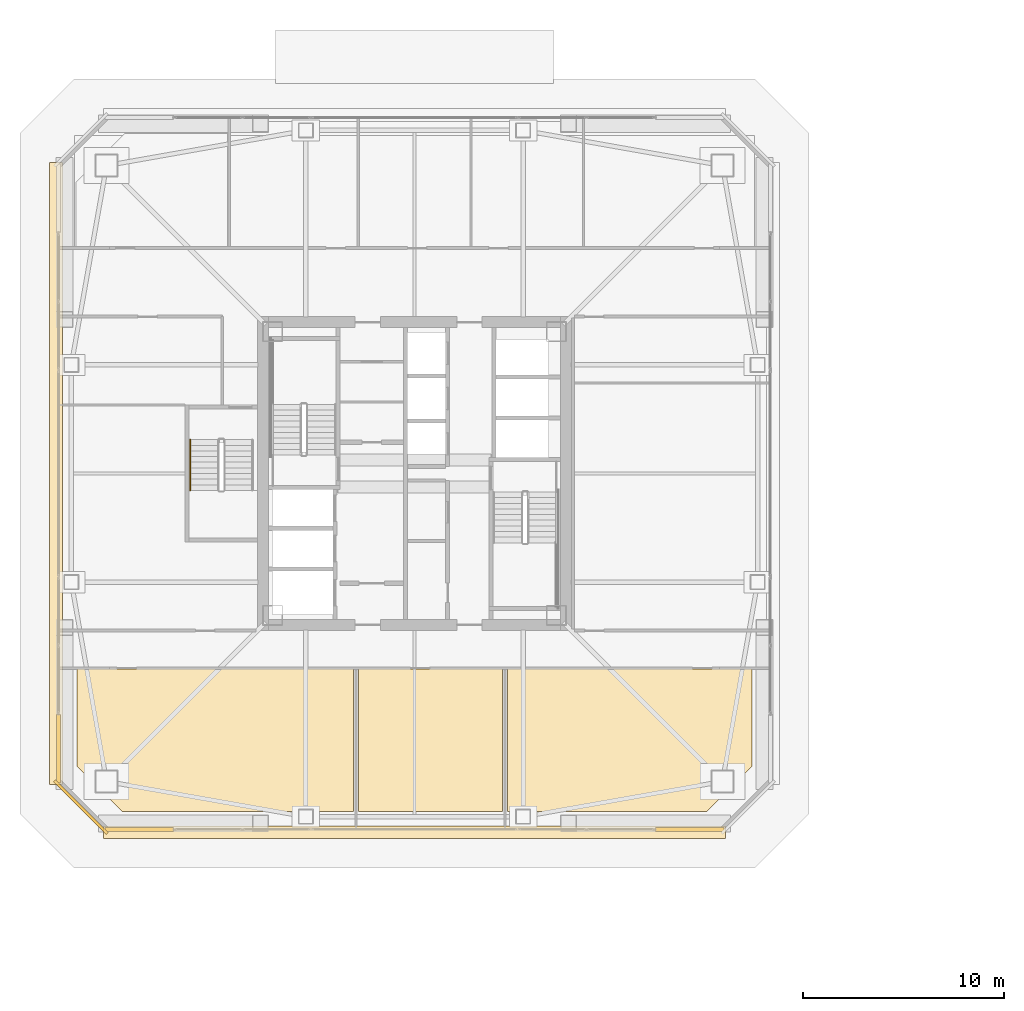
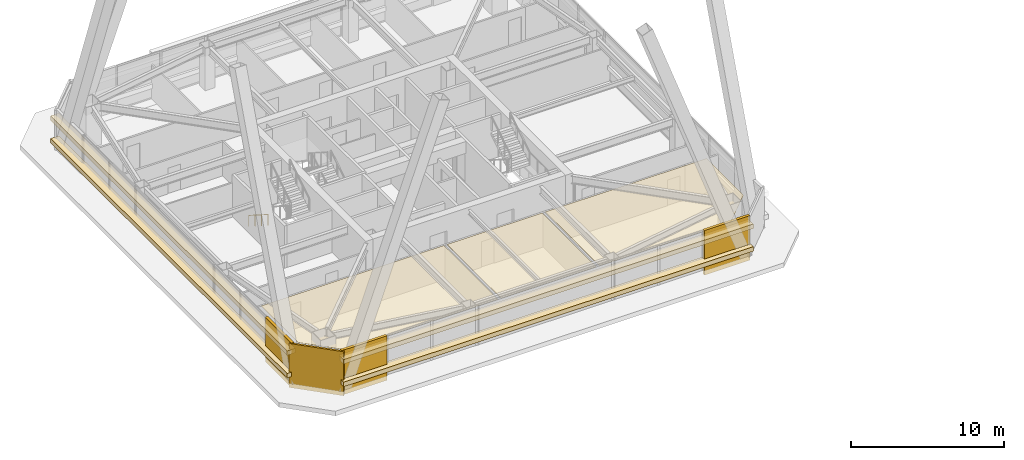
# One storey, part 60 of 65: 11 coverings, 1 railing.
"""IFC4 building model written with IfcOpenShell, lengths in metres."""

from ifc_helpers import new_model, si_unit, direction, frame, origin, origin_2d, place, context, subcontext, project, spatial, polyline, rectangle, outline, extrude, material, layer, layer_set, type_object, element, save


model = new_model("IFC4")

# Units and contexts
model_context = context("Model", 3, precision=1e-05, world=origin(), true_north=direction((0.0, 1.0)))
body_context = subcontext(model_context, "Body", "Model", "MODEL_VIEW")
ifc_project = project(units=[si_unit("LENGTHUNIT", "METRE"), si_unit("AREAUNIT", "SQUARE_METRE"), si_unit("VOLUMEUNIT", "CUBIC_METRE"), si_unit("PLANEANGLEUNIT", "RADIAN"), si_unit("MASSUNIT", "GRAM", prefix="KILO")], contexts=[model_context])

# Site, building, storey
site_placement = place(None, origin())
site = spatial("IfcSite", under=ifc_project, at=site_placement, CompositionType="ELEMENT")
building_placement = place(site_placement, origin())
building = spatial("IfcBuilding", under=site, at=building_placement, Name="Tashvorn Skyway Center", CompositionType="ELEMENT")
storey_placement = place(building_placement, frame((0.0, 0.0, 157.0)))
storey = spatial("IfcBuildingStorey", under=building, at=storey_placement, Name="L42", CompositionType="ELEMENT", Elevation=157.0)

# Coverings
ifc_material_1 = material(Name="Precast concrete C40/50", Category="concrete")
ifc_layer_1 = layer(ifc_material_1, 0.199951171875)
ifc_layer_set_1 = layer_set([ifc_layer_1], Name="Precast concrete C40/50")
covering_type_1 = type_object("IfcCoveringType", Name="COV-BRACE-CLAD", PredefinedType="CLADDING", material=ifc_layer_set_1)
for number, where, z_axis, x_axis, name in (
    (1, (55.671142578125, 14.320068359375, 0.0), (0.0, 0.0, 1.0), (-1.0, 0.0, 0.0), "Tower 1 L42 South Unitised Curtain Wall Mega-Brace Cladding Band 1"),
    (2, (28.328857421875, 14.320068359375, 0.0), (0.0, 0.0, 1.0), (-1.0, 0.0, 0.0), "Tower 1 L42 South Unitised Curtain Wall Mega-Brace Cladding Band 2"),
    (3, (24.320068359375, 18.328857421875, 0.0), (0.0, 0.0, 1.0), (0.0, 1.0, 0.0), "Tower 1 L42 West Unitised Curtain Wall Mega-Brace Cladding Band 1"),
):
    element("IfcCovering", number, at=place(storey_placement, frame(where, z_axis=z_axis, x_axis=x_axis)), inside=storey, type_object=covering_type_1, Name=name, PredefinedType="CLADDING", context=body_context, shape_type="SweptSolid", body=[
        extrude(rectangle(XDim=3.417724609375, YDim=0.199951171875, at=origin_2d()), origin(), (0.0, 0.0, 1.0), 3.550048828125),
    ])
ifc_material_2 = material(Name="Mineral-fibre acoustic ceiling tile on suspended grid")
ifc_layer_2 = layer(ifc_material_2, 0.02001953125)
ifc_layer_set_2 = layer_set([ifc_layer_2], Name="Mineral-fibre acoustic ceiling tile on suspended grid")
covering_type_2 = type_object("IfcCoveringType", Name="COV-CEIL-20", PredefinedType="CEILING", material=ifc_layer_set_2)
covering_1_placement = place(storey_placement, frame((0.0, 0.0, 2.702880859375)))
element("IfcCovering", 4, at=covering_1_placement, inside=storey, type_object=covering_type_2, Name="Tower 1 L42 Research Library Acoustic Ceiling", PredefinedType="CEILING", context=body_context, shape_type="SweptSolid", body=[
    extrude(outline(polyline([(25.219970703125, 22.2900390625), (38.97998046875, 22.2900390625), (38.97998046875, 15.219970703125), (27.47998046875, 15.219970703125), (25.219970703125, 17.47998046875), (25.219970703125, 22.2900390625)])), origin(), (0.0, 0.0, 1.0), 0.02001953125),
])
covering_2_placement = place(storey_placement, frame((0.0, 0.0, 2.702880859375)))
element("IfcCovering", 5, at=covering_2_placement, inside=storey, type_object=covering_type_2, Name="Tower 1 L42 Staff Fitness Club Acoustic Ceiling", PredefinedType="CEILING", context=body_context, shape_type="SweptSolid", body=[
    extrude(outline(polyline([(39.219970703125, 22.2900390625), (46.3798828125, 22.2900390625), (46.3798828125, 15.219970703125), (39.219970703125, 15.219970703125), (39.219970703125, 22.2900390625)])), origin(), (0.0, 0.0, 1.0), 0.02001953125),
])
covering_3_placement = place(storey_placement, frame((0.0, 0.0, 2.702880859375)))
element("IfcCovering", 6, at=covering_3_placement, inside=storey, type_object=covering_type_2, Name="Tower 1 L42 Staff Fitness Club Acoustic Ceiling", PredefinedType="CEILING", context=body_context, shape_type="SweptSolid", body=[
    extrude(outline(polyline([(46.6201171875, 15.219970703125), (46.6201171875, 22.2900390625), (58.780029296875, 22.2900390625), (58.780029296875, 17.47998046875), (56.52001953125, 15.219970703125), (46.6201171875, 15.219970703125)])), origin(), (0.0, 0.0, 1.0), 0.02001953125),
])
ifc_material_3 = material(Name="Perforated ceramic-coated bronze aluminium solar screen", Category="aluminium")
ifc_layer_3 = layer(ifc_material_3, 0.85009765625)
ifc_layer_set_3 = layer_set([ifc_layer_3], Name="Perforated ceramic-coated bronze aluminium solar screen")
covering_type_3 = type_object("IfcCoveringType", Name="COV-SOLAR-BAND", PredefinedType="CLADDING", material=ifc_layer_set_3)
for number, where, z_axis, x_axis, name in (
    (7, (42.0, 14.179931640625, 0.919921875), (0.0, 0.0, 1.0), (-1.0, 0.0, 0.0), "L42 Perforated Ceramic-Metal Solar Screen Louvre Band South 1"),
    (8, (42.0, 14.179931640625, 2.7197265625), (0.0, 0.0, 1.0), (-1.0, 0.0, 0.0), "L42 Perforated Ceramic-Metal Solar Screen Louvre Band South 2"),
    (9, (24.179931640625, 32.0, 0.919921875), (0.0, 0.0, 1.0), (0.0, 1.0, 0.0), "L42 Perforated Ceramic-Metal Solar Screen Louvre Band West 1"),
    (10, (24.179931640625, 32.0, 2.7197265625), (0.0, 0.0, 1.0), (0.0, 1.0, 0.0), "L42 Perforated Ceramic-Metal Solar Screen Louvre Band West 2"),
):
    element("IfcCovering", number, at=place(storey_placement, frame(where, z_axis=z_axis, x_axis=x_axis)), inside=storey, type_object=covering_type_3, Name=name, PredefinedType="CLADDING", context=body_context, shape_type="SweptSolid", body=[
        extrude(rectangle(XDim=30.8798828125, YDim=0.639892578125, at=origin_2d()), origin(), (0.0, 0.0, 1.0), 0.360107421875),
    ])
ifc_layer_4 = layer(ifc_material_1, 0.35009765625)
ifc_layer_set_4 = layer_set([ifc_layer_4], Name="Precast concrete C40/50")
covering_type_4 = type_object("IfcCoveringType", Name="COV-STONE-TRIM", PredefinedType="CLADDING", material=ifc_layer_set_4)
covering_4_placement = place(storey_placement, frame((25.429931640625, 15.429931640625, 0.02001953125), z_axis=(0.0, 0.0, 1.0), x_axis=(-0.707106781187, 0.707106781187, 0.0)))
element("IfcCovering", 11, at=covering_4_placement, inside=storey, type_object=covering_type_4, Name="Tower 1 L42 SW Mojave Limestone Corner Quoin", PredefinedType="CLADDING", context=body_context, shape_type="SweptSolid", body=[
    extrude(rectangle(XDim=3.695556640625, YDim=0.139892578125, at=origin_2d()), origin(), (0.0, 0.0, 1.0), 3.510009765625),
])

# Railing
ifc_material_4 = material(Name="Brushed stainless steel 316", Category="steel")
railing_type = type_object("IfcRailingType", Name="RAIL-HAND-920", PredefinedType="HANDRAIL", material=ifc_material_4)
railing_placement = place(storey_placement, frame((30.85009765625, 33.679931640625, 0.177490234375)))
element("IfcRailing", 12, at=railing_placement, inside=storey, type_object=railing_type, Name="L42 ST-T1-3 stair handrail 1", PredefinedType="HANDRAIL", context=body_context, shape_type="SweptSolid", body=[
    extrude(rectangle(XDim=0.048095703125, YDim=0.048095703125, at=origin_2d()), frame((0.0, 0.0, 0.8759765625), z_axis=(0.0, -0.84460694969, 0.535386869969), x_axis=(1.0, 0.0, 0.0)), (0.0, 0.0, 1.0), 2.983642578125),
    extrude(rectangle(XDim=0.0419921875, YDim=0.0419921875, at=origin_2d()), origin(), (0.0, 0.0, 1.0), 0.851806640625),
    extrude(rectangle(XDim=0.0419921875, YDim=0.0419921875, at=origin_2d()), frame((0.0, -0.840087890625, 0.532470703125)), (0.0, 0.0, 1.0), 0.851806640625),
    extrude(rectangle(XDim=0.0419921875, YDim=0.0419921875, at=origin_2d()), frame((0.0, -1.679931640625, 1.06494140625)), (0.0, 0.0, 1.0), 0.851806640625),
    extrude(rectangle(XDim=0.0419921875, YDim=0.0419921875, at=origin_2d()), frame((0.0, -2.52001953125, 1.597412109375)), (0.0, 0.0, 1.0), 0.851806640625),
])

save(model, "model.ifc")
